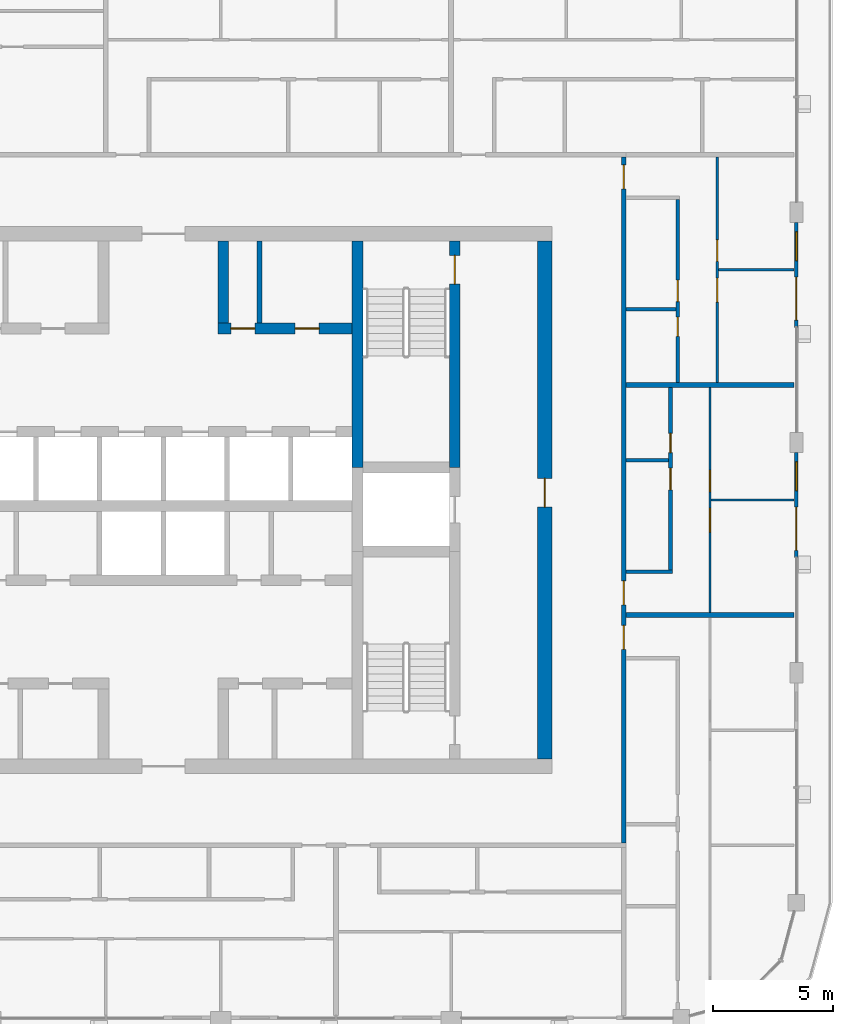
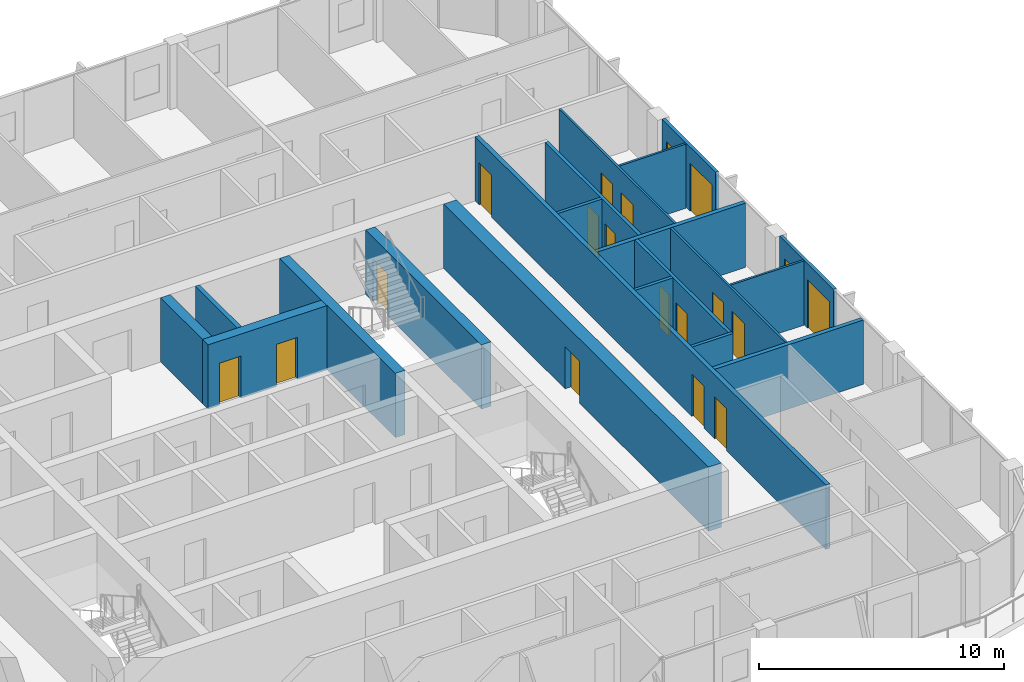
# One storey, part 13 of 22: 20 walls, 17 doors, 2 windows, 19 openings.
"""IFC4 building model written with IfcOpenShell, lengths in metres."""

from ifc_helpers import new_model, si_unit, direction, frame, frame_2d, origin, place, context, subcontext, project, spatial, rectangle, extrude, material, layer, layer_set, type_object, element, fill, save


model = new_model("IFC4")

# Units and contexts
model_context = context("Model", 3, precision=1e-05, world=origin(), true_north=direction((0.0, 1.0)))
body_context = subcontext(model_context, "Body", "Model", "MODEL_VIEW")
ifc_project = project(units=[si_unit("LENGTHUNIT", "METRE"), si_unit("AREAUNIT", "SQUARE_METRE"), si_unit("VOLUMEUNIT", "CUBIC_METRE"), si_unit("PLANEANGLEUNIT", "RADIAN"), si_unit("MASSUNIT", "GRAM", prefix="KILO")], contexts=[model_context])

# Site, building, storey
site_placement = place(None, origin())
site = spatial("IfcSite", under=ifc_project, at=site_placement, CompositionType="ELEMENT")
building_placement = place(site_placement, origin())
building = spatial("IfcBuilding", under=site, at=building_placement, Name="Madar Terraces", CompositionType="ELEMENT")
storey_placement = place(building_placement, frame((0.0, 0.0, 256.199951171875)))
storey = spatial("IfcBuildingStorey", under=building, at=storey_placement, Name="L67", CompositionType="ELEMENT", Elevation=256.199951171875)

# Wall
ifc_material_1 = material(Name="Concrete C55/67", Category="concrete")
ifc_layer_1 = layer(ifc_material_1, 0.449951171875)
ifc_layer_set_1 = layer_set([ifc_layer_1], Name="Concrete C55/67 (CIW5 RC wall 450)")
wall_type_1 = type_object("IfcWallType", Name="CIW5 RC wall 450", PredefinedType="SHEAR", material=ifc_layer_set_1)
wall_1_placement = place(storey_placement, frame((39.300048828125, 27.75, 0.0), z_axis=(0.0, 0.0, 1.0), x_axis=(0.0, 1.0, 0.0)))
element("IfcWall", 1, at=wall_1_placement, inside=storey, type_object=wall_type_1, Name="CORE SHAFT WALL", PredefinedType="SHEAR", context=body_context, shape_type="SweptSolid", body=[
    extrude(rectangle(XDim=9.449951171875, YDim=0.449951171875, at=frame_2d((4.72509765625, 0.0))), origin(), (0.0, 0.0, 1.0), 3.199951171875),
])

# Wall, opening, door
wall_2_placement = place(storey_placement, frame((43.35009765625, 27.75, 0.0), z_axis=(0.0, 0.0, 1.0), x_axis=(0.0, 1.0, 0.0)))
wall_2 = element("IfcWall", 2, at=wall_2_placement, inside=storey, type_object=wall_type_1, Name="CORE SHAFT WALL", PredefinedType="SHEAR", context=body_context, shape_type="SweptSolid", body=[
    extrude(rectangle(XDim=9.449951171875, YDim=0.449951171875, at=frame_2d((4.72509765625, 0.0))), origin(), (0.0, 0.0, 1.0), 3.199951171875),
])
opening_1_placement = place(wall_2_placement, frame((7.64990234375, 0.0, 0.0)))
opening_1 = element("IfcOpeningElement", 3, at=opening_1_placement, cuts=wall_2, Name="Opening SD1", PredefinedType="OPENING", context=body_context, shape_type="SweptSolid", body=[
    extrude(rectangle(XDim=1.199951171875, YDim=2.10009765625, at=frame_2d((0.60009765625, 1.050048828125))), frame((0.0, 0.23486328125, 0.0), z_axis=(0.0, -1.0, 0.0), x_axis=(1.0, 0.0, 0.0)), (0.0, 0.0, 1.0), 0.469970703125),
])
ifc_material_2 = material(Name="Steel door leaf", Category="steel")
door_type_1 = type_object("IfcDoorType", Name="Stair door 1200 x 2100", OperationType="NOTDEFINED", PredefinedType="DOOR", material=ifc_material_2)
door_1_placement = place(opening_1_placement, origin())
door_1 = element("IfcDoor", 4, at=door_1_placement, inside=storey, type_object=door_type_1, Name="STAIR DOOR", OperationType="SINGLE_SWING_LEFT", OverallHeight=2.10009765625, OverallWidth=1.199951171875, PredefinedType="DOOR", context=body_context, shape_type="SweptSolid", body=[
    extrude(rectangle(XDim=1.199951171875, YDim=2.10009765625, at=frame_2d((0.60009765625, 1.050048828125))), frame((0.0, 0.02490234375, 0.0), z_axis=(0.0, -1.0, 0.0), x_axis=(1.0, 0.0, 0.0)), (0.0, 0.0, 1.0), 0.050048828125),
])
fill(opening_1, door_1)

# Wall, openings, doors
wall_3_placement = place(storey_placement, frame((33.47509765625, 33.550048828125, 0.0), z_axis=(0.0, 0.0, 1.0), x_axis=(1.0, 0.0, 0.0)))
wall_3 = element("IfcWall", 5, at=wall_3_placement, inside=storey, type_object=wall_type_1, Name="CORE SHAFT WALL", PredefinedType="SHEAR", context=body_context, shape_type="SweptSolid", body=[
    extrude(rectangle(XDim=5.599853515625, YDim=0.449951171875, at=frame_2d((2.7998046875, 0.0))), origin(), (0.0, 0.0, 1.0), 3.199951171875),
])
opening_2_placement = place(wall_3_placement, frame((0.543701171875, 0.0, 0.0)))
opening_2 = element("IfcOpeningElement", 6, at=opening_2_placement, cuts=wall_3, Name="Opening KD2", PredefinedType="OPENING", context=body_context, shape_type="SweptSolid", body=[
    extrude(rectangle(XDim=1.0, YDim=2.10009765625, at=frame_2d((0.5, 1.050048828125))), frame((0.0, 0.23486328125, 0.0), z_axis=(0.0, -1.0, 0.0), x_axis=(1.0, 0.0, 0.0)), (0.0, 0.0, 1.0), 0.469970703125),
])
opening_3_placement = place(wall_3_placement, frame((3.21875, 0.0, 0.0)))
opening_3 = element("IfcOpeningElement", 7, at=opening_3_placement, cuts=wall_3, Name="Opening KD2", PredefinedType="OPENING", context=body_context, shape_type="SweptSolid", body=[
    extrude(rectangle(XDim=1.0, YDim=2.10009765625, at=frame_2d((0.5, 1.050048828125))), frame((0.0, 0.23486328125, 0.0), z_axis=(0.0, -1.0, 0.0), x_axis=(1.0, 0.0, 0.0)), (0.0, 0.0, 1.0), 0.469970703125),
])
ifc_material_3 = material(Name="Steel door leaf", Category="steel")
door_type_2 = type_object("IfcDoorType", Name="Service room door 1000 x 2100", OperationType="NOTDEFINED", PredefinedType="DOOR", material=ifc_material_3)
door_2_placement = place(opening_2_placement, frame((1.0, 0.0, 0.0), z_axis=(0.0, 0.0, 1.0), x_axis=(-1.0, 0.0, 0.0)))
door_2 = element("IfcDoor", 8, at=door_2_placement, inside=storey, type_object=door_type_2, Name="SERVICE ROOM DOOR", OperationType="SINGLE_SWING_RIGHT", OverallHeight=2.10009765625, OverallWidth=1.0, PredefinedType="DOOR", context=body_context, shape_type="SweptSolid", body=[
    extrude(rectangle(XDim=1.0, YDim=2.10009765625, at=frame_2d((0.5, 1.050048828125))), frame((0.0, 0.02490234375, 0.0), z_axis=(0.0, -1.0, 0.0), x_axis=(1.0, 0.0, 0.0)), (0.0, 0.0, 1.0), 0.050048828125),
])
fill(opening_2, door_2)
door_3_placement = place(opening_3_placement, frame((1.0, 0.0, 0.0), z_axis=(0.0, 0.0, 1.0), x_axis=(-1.0, 0.0, 0.0)))
door_3 = element("IfcDoor", 9, at=door_3_placement, inside=storey, type_object=door_type_2, Name="SERVICE ROOM DOOR", OperationType="SINGLE_SWING_LEFT", OverallHeight=2.10009765625, OverallWidth=1.0, PredefinedType="DOOR", context=body_context, shape_type="SweptSolid", body=[
    extrude(rectangle(XDim=1.0, YDim=2.10009765625, at=frame_2d((0.5, 1.050048828125))), frame((0.0, 0.02490234375, 0.0), z_axis=(0.0, -1.0, 0.0), x_axis=(1.0, 0.0, 0.0)), (0.0, 0.0, 1.0), 0.050048828125),
])
fill(opening_3, door_3)

# Wall
wall_4_placement = place(storey_placement, frame((33.699951171875, 33.77490234375, 0.0), z_axis=(0.0, 0.0, 1.0), x_axis=(0.0, 1.0, 0.0)))
element("IfcWall", 10, at=wall_4_placement, inside=storey, type_object=wall_type_1, Name="CORE SHAFT WALL", PredefinedType="SHEAR", context=body_context, shape_type="SweptSolid", body=[
    extrude(rectangle(XDim=3.425048828125, YDim=0.449951171875, at=frame_2d((1.71240234375, 0.0))), origin(), (0.0, 0.0, 1.0), 3.199951171875),
])

# Wall, opening, door
ifc_material_4 = material(Name="Concrete C55/67", Category="concrete")
ifc_layer_2 = layer(ifc_material_4, 0.60009765625)
ifc_layer_set_2 = layer_set([ifc_layer_2], Name="Concrete C55/67 (CRW5 RC wall 600)")
wall_type_2 = type_object("IfcWallType", Name="CRW5 RC wall 600", PredefinedType="SHEAR", material=ifc_layer_set_2)
wall_5_placement = place(storey_placement, frame((47.10009765625, 15.60009765625, 0.0), z_axis=(0.0, 0.0, 1.0), x_axis=(0.0, 1.0, 0.0)))
wall_5 = element("IfcWall", 11, at=wall_5_placement, inside=storey, type_object=wall_type_2, Name="CORE OUTER WALL", PredefinedType="SHEAR", context=body_context, shape_type="SweptSolid", body=[
    extrude(rectangle(XDim=21.599853515625, YDim=0.60009765625, at=frame_2d((10.7998046875, 0.0))), origin(), (0.0, 0.0, 1.0), 3.199951171875),
])
opening_4_placement = place(wall_5_placement, frame((10.5, 0.0, 0.0)))
opening_4 = element("IfcOpeningElement", 12, at=opening_4_placement, cuts=wall_5, Name="Opening SD1", PredefinedType="OPENING", context=body_context, shape_type="SweptSolid", body=[
    extrude(rectangle(XDim=1.199951171875, YDim=2.10009765625, at=frame_2d((0.60009765625, 1.050048828125))), frame((0.0, 0.31005859375, 0.0), z_axis=(0.0, -1.0, 0.0), x_axis=(1.0, 0.0, 0.0)), (0.0, 0.0, 1.0), 0.6201171875),
])
door_4_placement = place(opening_4_placement, origin())
door_4 = element("IfcDoor", 13, at=door_4_placement, inside=storey, type_object=door_type_1, Name="STAIR DOOR", OperationType="SINGLE_SWING_LEFT", OverallHeight=2.10009765625, OverallWidth=1.199951171875, PredefinedType="DOOR", context=body_context, shape_type="SweptSolid", body=[
    extrude(rectangle(XDim=1.199951171875, YDim=2.10009765625, at=frame_2d((0.60009765625, 1.050048828125))), frame((0.0, 0.02490234375, 0.0), z_axis=(0.0, -1.0, 0.0), x_axis=(1.0, 0.0, 0.0)), (0.0, 0.0, 1.0), 0.050048828125),
])
fill(opening_4, door_4)

# Wall
ifc_material_5 = material(Name="Masonry blockwork", Category="masonry")
ifc_layer_3 = layer(ifc_material_5, 0.199951171875)
ifc_layer_set_3 = layer_set([ifc_layer_3], Name="Core partition 200 blockwork")
wall_type_3 = type_object("IfcWallType", Name="Core partition 200 blockwork", PredefinedType="PARTITIONING", material=ifc_layer_set_3)
wall_6_placement = place(storey_placement, frame((35.21240234375, 33.77490234375, 0.0), z_axis=(0.0, 0.0, 1.0), x_axis=(0.0, 1.0, 0.0)))
element("IfcWall", 14, at=wall_6_placement, inside=storey, type_object=wall_type_3, Name="SERVICE ROOM PARTITION", PredefinedType="PARTITIONING", context=body_context, shape_type="SweptSolid", body=[
    extrude(rectangle(XDim=3.425048828125, YDim=0.199951171875, at=frame_2d((1.71240234375, 0.0))), origin(), (0.0, 0.0, 1.0), 3.199951171875),
])

# Wall, openings, door, window
ifc_material_6 = material(Name="Aluminium composite panel, black, over insulated backing", Category="aluminium")
ifc_layer_4 = layer(ifc_material_6, 0.14990234375)
ifc_layer_set_4 = layer_set([ifc_layer_4], Name="Facade bay panel 150")
wall_type_4 = type_object("IfcWallType", Name="Facade bay panel 150", PredefinedType="SOLIDWALL", material=ifc_layer_set_4)
wall_7_placement = place(storey_placement, frame((57.60009765625, 24.0, 0.0), z_axis=(0.0, 0.0, 1.0), x_axis=(0.0, 1.0, 0.0)))
wall_7 = element("IfcWall", 15, at=wall_7_placement, inside=storey, type_object=wall_type_4, Name="Facade bay panel", PredefinedType="SOLIDWALL", context=body_context, shape_type="SweptSolid", body=[
    extrude(rectangle(XDim=4.375, YDim=0.14990234375, at=frame_2d((2.1875, 0.0))), origin(), (0.0, 0.0, 1.0), 3.199951171875),
])
opening_5_placement = place(wall_7_placement, frame((0.300048828125, 0.0, 0.0)))
opening_5 = element("IfcOpeningElement", 16, at=opening_5_placement, cuts=wall_7, Name="Opening ED1", PredefinedType="OPENING", context=body_context, shape_type="SweptSolid", body=[
    extrude(rectangle(XDim=1.800048828125, YDim=2.39990234375, at=frame_2d((0.89990234375, 1.199951171875))), frame((0.0, 0.0849609375, 0.0), z_axis=(0.0, -1.0, 0.0), x_axis=(1.0, 0.0, 0.0)), (0.0, 0.0, 1.0), 0.169921875),
])
opening_6_placement = place(wall_7_placement, frame((2.78759765625, 0.0, 0.89990234375)))
opening_6 = element("IfcOpeningElement", 17, at=opening_6_placement, cuts=wall_7, Name="Opening W1", PredefinedType="OPENING", context=body_context, shape_type="SweptSolid", body=[
    extrude(rectangle(XDim=1.199951171875, YDim=1.39990234375, at=frame_2d((0.60009765625, 0.699951171875))), frame((0.0, 0.0849609375, 0.0), z_axis=(0.0, -1.0, 0.0), x_axis=(1.0, 0.0, 0.0)), (0.0, 0.0, 1.0), 0.169921875),
])
ifc_material_7 = material(Name="Glass, clear, with black aluminium frame", Category="aluminium")
door_type_3 = type_object("IfcDoorType", Name="Balcony and terrace sliding door 1800 x 2400", OperationType="SLIDING_TO_LEFT", PredefinedType="DOOR", material=ifc_material_7)
door_5_placement = place(opening_5_placement, origin())
door_5 = element("IfcDoor", 18, at=door_5_placement, inside=storey, type_object=door_type_3, Name="Balcony door", OperationType="SLIDING_TO_LEFT", OverallHeight=2.39990234375, OverallWidth=1.800048828125, PredefinedType="DOOR", context=body_context, shape_type="SweptSolid", body=[
    extrude(rectangle(XDim=1.800048828125, YDim=2.39990234375, at=frame_2d((0.89990234375, 1.199951171875))), frame((0.0, 0.02490234375, 0.0), z_axis=(0.0, -1.0, 0.0), x_axis=(1.0, 0.0, 0.0)), (0.0, 0.0, 1.0), 0.050048828125),
])
fill(opening_5, door_5)
ifc_material_8 = material(Name="Glass, clear, with black aluminium frame", Category="aluminium")
window_type = type_object("IfcWindowType", Name="Vent window 1200 x 1400", PartitioningType="SINGLE_PANEL", PredefinedType="WINDOW", material=ifc_material_8)
window_1_placement = place(opening_6_placement, origin())
window_1 = element("IfcWindow", 19, at=window_1_placement, inside=storey, type_object=window_type, Name="Operable vent window", OverallHeight=1.39990234375, OverallWidth=1.199951171875, PartitioningType="SINGLE_PANEL", PredefinedType="WINDOW", context=body_context, shape_type="SweptSolid", body=[
    extrude(rectangle(XDim=1.199951171875, YDim=1.39990234375, at=frame_2d((0.60009765625, 0.699951171875))), frame((0.0, 0.030029296875, 0.0), z_axis=(0.0, -1.0, 0.0), x_axis=(1.0, 0.0, 0.0)), (0.0, 0.0, 1.0), 0.06005859375),
])
fill(opening_6, window_1)

wall_8_placement = place(storey_placement, frame((57.60009765625, 33.60009765625, 0.0), z_axis=(0.0, 0.0, 1.0), x_axis=(0.0, 1.0, 0.0)))
wall_8 = element("IfcWall", 20, at=wall_8_placement, inside=storey, type_object=wall_type_4, Name="Facade bay panel", PredefinedType="SOLIDWALL", context=body_context, shape_type="SweptSolid", body=[
    extrude(rectangle(XDim=4.375, YDim=0.14990234375, at=frame_2d((2.1875, 0.0))), origin(), (0.0, 0.0, 1.0), 3.199951171875),
])
opening_7_placement = place(wall_8_placement, frame((0.300048828125, 0.0, 0.0)))
opening_7 = element("IfcOpeningElement", 21, at=opening_7_placement, cuts=wall_8, Name="Opening ED1", PredefinedType="OPENING", context=body_context, shape_type="SweptSolid", body=[
    extrude(rectangle(XDim=1.800048828125, YDim=2.39990234375, at=frame_2d((0.89990234375, 1.199951171875))), frame((0.0, 0.0849609375, 0.0), z_axis=(0.0, -1.0, 0.0), x_axis=(1.0, 0.0, 0.0)), (0.0, 0.0, 1.0), 0.169921875),
])
opening_8_placement = place(wall_8_placement, frame((2.78759765625, 0.0, 0.89990234375)))
opening_8 = element("IfcOpeningElement", 22, at=opening_8_placement, cuts=wall_8, Name="Opening W1", PredefinedType="OPENING", context=body_context, shape_type="SweptSolid", body=[
    extrude(rectangle(XDim=1.199951171875, YDim=1.39990234375, at=frame_2d((0.60009765625, 0.699951171875))), frame((0.0, 0.0849609375, 0.0), z_axis=(0.0, -1.0, 0.0), x_axis=(1.0, 0.0, 0.0)), (0.0, 0.0, 1.0), 0.169921875),
])
door_6_placement = place(opening_7_placement, origin())
door_6 = element("IfcDoor", 23, at=door_6_placement, inside=storey, type_object=door_type_3, Name="Balcony door", OperationType="SLIDING_TO_RIGHT", OverallHeight=2.39990234375, OverallWidth=1.800048828125, PredefinedType="DOOR", context=body_context, shape_type="SweptSolid", body=[
    extrude(rectangle(XDim=1.800048828125, YDim=2.39990234375, at=frame_2d((0.89990234375, 1.199951171875))), frame((0.0, 0.02490234375, 0.0), z_axis=(0.0, -1.0, 0.0), x_axis=(1.0, 0.0, 0.0)), (0.0, 0.0, 1.0), 0.050048828125),
])
fill(opening_7, door_6)
window_2_placement = place(opening_8_placement, origin())
window_2 = element("IfcWindow", 24, at=window_2_placement, inside=storey, type_object=window_type, Name="Operable vent window", OverallHeight=1.39990234375, OverallWidth=1.199951171875, PartitioningType="SINGLE_PANEL", PredefinedType="WINDOW", context=body_context, shape_type="SweptSolid", body=[
    extrude(rectangle(XDim=1.199951171875, YDim=1.39990234375, at=frame_2d((0.60009765625, 0.699951171875))), frame((0.0, 0.030029296875, 0.0), z_axis=(0.0, -1.0, 0.0), x_axis=(1.0, 0.0, 0.0)), (0.0, 0.0, 1.0), 0.06005859375),
])
fill(opening_8, window_2)

# Wall
ifc_material_9 = material(Name="Gypsum board on steel studs", Category="steel")
ifc_layer_5 = layer(ifc_material_9, 0.10009765625)
ifc_layer_set_5 = layer_set([ifc_layer_5], Name="Flat partition 100")
wall_type_5 = type_object("IfcWallType", Name="Flat partition 100", PredefinedType="PARTITIONING", material=ifc_layer_set_5)
wall_9_placement = place(storey_placement, frame((54.050048828125, 26.39990234375, 0.0), z_axis=(0.0, 0.0, 1.0), x_axis=(1.0, 0.0, 0.0)))
element("IfcWall", 25, at=wall_9_placement, inside=storey, type_object=wall_type_5, Name="Flat partition 100", PredefinedType="PARTITIONING", context=body_context, shape_type="SweptSolid", body=[
    extrude(rectangle(XDim=3.449951171875, YDim=0.10009765625, at=frame_2d((1.72509765625, 0.0))), origin(), (0.0, 0.0, 1.0), 3.199951171875),
])

# Wall, openings, doors
wall_10_placement = place(storey_placement, frame((54.0, 31.10009765625, 0.0), z_axis=(0.0, 0.0, 1.0), x_axis=(0.0, -1.0, 0.0)))
wall_10 = element("IfcWall", 26, at=wall_10_placement, inside=storey, type_object=wall_type_5, Name="Flat partition 100", PredefinedType="PARTITIONING", context=body_context, shape_type="SweptSolid", body=[
    extrude(rectangle(XDim=9.400146484375, YDim=0.10009765625, at=frame_2d((4.7001953125, 0.0))), origin(), (0.0, 0.0, 1.0), 3.199951171875),
])
opening_9_placement = place(wall_10_placement, frame((5.050048828125, 0.0, 0.0)))
opening_9 = element("IfcOpeningElement", 27, at=opening_9_placement, cuts=wall_10, Name="Opening D3", PredefinedType="OPENING", context=body_context, shape_type="SweptSolid", body=[
    extrude(rectangle(XDim=1.0, YDim=2.10009765625, at=frame_2d((0.5, 1.050048828125))), frame((0.0, 0.06005859375, 0.0), z_axis=(0.0, -1.0, 0.0), x_axis=(1.0, 0.0, 0.0)), (0.0, 0.0, 1.0), 0.1201171875),
])
opening_10_placement = place(wall_10_placement, frame((3.449951171875, 0.0, 0.0)))
opening_10 = element("IfcOpeningElement", 28, at=opening_10_placement, cuts=wall_10, Name="Opening D2", PredefinedType="OPENING", context=body_context, shape_type="SweptSolid", body=[
    extrude(rectangle(XDim=0.89990234375, YDim=2.10009765625, at=frame_2d((0.449951171875, 1.050048828125))), frame((0.0, 0.06005859375, 0.0), z_axis=(0.0, -1.0, 0.0), x_axis=(1.0, 0.0, 0.0)), (0.0, 0.0, 1.0), 0.1201171875),
])
ifc_material_10 = material(Name="Timber door leaf", Category="wood")
door_type_4 = type_object("IfcDoorType", Name="Flat living room door 1000", OperationType="NOTDEFINED", PredefinedType="DOOR", material=ifc_material_10)
door_7_placement = place(opening_9_placement, origin())
door_7 = element("IfcDoor", 29, at=door_7_placement, inside=storey, type_object=door_type_4, Name="Flat living room door 1000", OperationType="SINGLE_SWING_LEFT", OverallHeight=2.10009765625, OverallWidth=1.0, PredefinedType="DOOR", context=body_context, shape_type="SweptSolid", body=[
    extrude(rectangle(XDim=1.0, YDim=2.10009765625, at=frame_2d((0.5, 1.050048828125))), frame((0.0, 0.02490234375, 0.0), z_axis=(0.0, -1.0, 0.0), x_axis=(1.0, 0.0, 0.0)), (0.0, 0.0, 1.0), 0.050048828125),
])
fill(opening_9, door_7)
ifc_material_11 = material(Name="Timber door leaf", Category="wood")
door_type_5 = type_object("IfcDoorType", Name="Flat room door 900", OperationType="NOTDEFINED", PredefinedType="DOOR", material=ifc_material_11)
door_8_placement = place(opening_10_placement, origin())
door_8 = element("IfcDoor", 30, at=door_8_placement, inside=storey, type_object=door_type_5, Name="Flat room door 900", OperationType="SINGLE_SWING_RIGHT", OverallHeight=2.10009765625, OverallWidth=0.89990234375, PredefinedType="DOOR", context=body_context, shape_type="SweptSolid", body=[
    extrude(rectangle(XDim=0.89990234375, YDim=2.10009765625, at=frame_2d((0.449951171875, 1.050048828125))), frame((0.0, 0.02490234375, 0.0), z_axis=(0.0, -1.0, 0.0), x_axis=(1.0, 0.0, 0.0)), (0.0, 0.0, 1.0), 0.050048828125),
])
fill(opening_10, door_8)

# Wall
wall_11_placement = place(storey_placement, frame((54.35009765625, 36.0, 0.0), z_axis=(0.0, 0.0, 1.0), x_axis=(1.0, 0.0, 0.0)))
element("IfcWall", 31, at=wall_11_placement, inside=storey, type_object=wall_type_5, Name="Flat partition 100", PredefinedType="PARTITIONING", context=body_context, shape_type="SweptSolid", body=[
    extrude(rectangle(XDim=3.14990234375, YDim=0.10009765625, at=frame_2d((1.574951171875, 0.0))), origin(), (0.0, 0.0, 1.0), 3.199951171875),
])

# Wall, openings, doors
wall_12_placement = place(storey_placement, frame((54.300048828125, 40.699951171875, 0.0), z_axis=(0.0, 0.0, 1.0), x_axis=(0.0, -1.0, 0.0)))
wall_12 = element("IfcWall", 32, at=wall_12_placement, inside=storey, type_object=wall_type_5, Name="Flat partition 100", PredefinedType="PARTITIONING", context=body_context, shape_type="SweptSolid", body=[
    extrude(rectangle(XDim=9.39990234375, YDim=0.10009765625, at=frame_2d((4.699951171875, 0.0))), origin(), (0.0, 0.0, 1.0), 3.199951171875),
])
opening_11_placement = place(wall_12_placement, frame((3.449951171875, 0.0, 0.0)))
opening_11 = element("IfcOpeningElement", 33, at=opening_11_placement, cuts=wall_12, Name="Opening D2", PredefinedType="OPENING", context=body_context, shape_type="SweptSolid", body=[
    extrude(rectangle(XDim=0.89990234375, YDim=2.10009765625, at=frame_2d((0.449951171875, 1.050048828125))), frame((0.0, 0.06005859375, 0.0), z_axis=(0.0, -1.0, 0.0), x_axis=(1.0, 0.0, 0.0)), (0.0, 0.0, 1.0), 0.1201171875),
])
opening_12_placement = place(wall_12_placement, frame((5.050048828125, 0.0, 0.0)))
opening_12 = element("IfcOpeningElement", 34, at=opening_12_placement, cuts=wall_12, Name="Opening D3", PredefinedType="OPENING", context=body_context, shape_type="SweptSolid", body=[
    extrude(rectangle(XDim=1.0, YDim=2.10009765625, at=frame_2d((0.5, 1.050048828125))), frame((0.0, 0.06005859375, 0.0), z_axis=(0.0, -1.0, 0.0), x_axis=(1.0, 0.0, 0.0)), (0.0, 0.0, 1.0), 0.1201171875),
])
door_9_placement = place(opening_12_placement, origin())
door_9 = element("IfcDoor", 35, at=door_9_placement, inside=storey, type_object=door_type_4, Name="Flat living room door 1000", OperationType="SINGLE_SWING_LEFT", OverallHeight=2.10009765625, OverallWidth=1.0, PredefinedType="DOOR", context=body_context, shape_type="SweptSolid", body=[
    extrude(rectangle(XDim=1.0, YDim=2.10009765625, at=frame_2d((0.5, 1.050048828125))), frame((0.0, 0.02490234375, 0.0), z_axis=(0.0, -1.0, 0.0), x_axis=(1.0, 0.0, 0.0)), (0.0, 0.0, 1.0), 0.050048828125),
])
fill(opening_12, door_9)
door_10_placement = place(opening_11_placement, origin())
door_10 = element("IfcDoor", 36, at=door_10_placement, inside=storey, type_object=door_type_5, Name="Flat room door 900", OperationType="SINGLE_SWING_RIGHT", OverallHeight=2.10009765625, OverallWidth=0.89990234375, PredefinedType="DOOR", context=body_context, shape_type="SweptSolid", body=[
    extrude(rectangle(XDim=0.89990234375, YDim=2.10009765625, at=frame_2d((0.449951171875, 1.050048828125))), frame((0.0, 0.02490234375, 0.0), z_axis=(0.0, -1.0, 0.0), x_axis=(1.0, 0.0, 0.0)), (0.0, 0.0, 1.0), 0.050048828125),
])
fill(opening_11, door_10)

ifc_material_12 = material(Name="Lightweight blockwork", Category="masonry")
ifc_layer_6 = layer(ifc_material_12, 0.199951171875)
ifc_layer_set_6 = layer_set([ifc_layer_6], Name="Flat party and entrance wall 200")
wall_type_6 = type_object("IfcWallType", Name="Flat party and entrance wall 200", PredefinedType="PARTITIONING", material=ifc_layer_set_6)
wall_13_placement = place(storey_placement, frame((50.39990234375, 40.699951171875, 0.0), z_axis=(0.0, 0.0, 1.0), x_axis=(0.0, -1.0, 0.0)))
wall_13 = element("IfcWall", 37, at=wall_13_placement, inside=storey, type_object=wall_type_6, Name="Flat party and entrance wall 200", PredefinedType="PARTITIONING", context=body_context, shape_type="SweptSolid", body=[
    extrude(rectangle(XDim=28.599853515625, YDim=0.199951171875, at=frame_2d((14.2998046875, 0.0))), origin(), (0.0, 0.0, 1.0), 3.199951171875),
])
opening_13_placement = place(wall_13_placement, frame((19.52490234375, 0.0, 0.0)))
opening_13 = element("IfcOpeningElement", 38, at=opening_13_placement, cuts=wall_13, Name="Opening D1", PredefinedType="OPENING", context=body_context, shape_type="SweptSolid", body=[
    extrude(rectangle(XDim=1.0, YDim=2.10009765625, at=frame_2d((0.5, 1.050048828125))), frame((0.0, 0.10986328125, 0.0), z_axis=(0.0, -1.0, 0.0), x_axis=(1.0, 0.0, 0.0)), (0.0, 0.0, 1.0), 0.219970703125),
])
opening_14_placement = place(wall_13_placement, frame((17.675048828125, 0.0, 0.0)))
opening_14 = element("IfcOpeningElement", 39, at=opening_14_placement, cuts=wall_13, Name="Opening D1", PredefinedType="OPENING", context=body_context, shape_type="SweptSolid", body=[
    extrude(rectangle(XDim=1.0, YDim=2.10009765625, at=frame_2d((0.5, 1.050048828125))), frame((0.0, 0.10986328125, 0.0), z_axis=(0.0, -1.0, 0.0), x_axis=(1.0, 0.0, 0.0)), (0.0, 0.0, 1.0), 0.219970703125),
])
opening_15_placement = place(wall_13_placement, frame((0.324951171875, 0.0, 0.0)))
opening_15 = element("IfcOpeningElement", 40, at=opening_15_placement, cuts=wall_13, Name="Opening D1", PredefinedType="OPENING", context=body_context, shape_type="SweptSolid", body=[
    extrude(rectangle(XDim=1.0, YDim=2.10009765625, at=frame_2d((0.5, 1.050048828125))), frame((0.0, 0.10986328125, 0.0), z_axis=(0.0, -1.0, 0.0), x_axis=(1.0, 0.0, 0.0)), (0.0, 0.0, 1.0), 0.219970703125),
])
ifc_material_13 = material(Name="Timber fire door leaf", Category="wood")
door_type_6 = type_object("IfcDoorType", Name="Flat entrance door 1000 FD30S", OperationType="NOTDEFINED", PredefinedType="DOOR", material=ifc_material_13)
door_11_placement = place(opening_13_placement, origin())
door_11 = element("IfcDoor", 41, at=door_11_placement, inside=storey, type_object=door_type_6, Name="Flat entrance door 1000 FD30S", OperationType="SINGLE_SWING_LEFT", OverallHeight=2.10009765625, OverallWidth=1.0, PredefinedType="DOOR", context=body_context, shape_type="SweptSolid", body=[
    extrude(rectangle(XDim=1.0, YDim=2.10009765625, at=frame_2d((0.5, 1.050048828125))), frame((0.0, 0.02490234375, 0.0), z_axis=(0.0, -1.0, 0.0), x_axis=(1.0, 0.0, 0.0)), (0.0, 0.0, 1.0), 0.050048828125),
])
fill(opening_13, door_11)
door_12_placement = place(opening_14_placement, origin())
door_12 = element("IfcDoor", 42, at=door_12_placement, inside=storey, type_object=door_type_6, Name="Flat entrance door 1000 FD30S", OperationType="SINGLE_SWING_RIGHT", OverallHeight=2.10009765625, OverallWidth=1.0, PredefinedType="DOOR", context=body_context, shape_type="SweptSolid", body=[
    extrude(rectangle(XDim=1.0, YDim=2.10009765625, at=frame_2d((0.5, 1.050048828125))), frame((0.0, 0.02490234375, 0.0), z_axis=(0.0, -1.0, 0.0), x_axis=(1.0, 0.0, 0.0)), (0.0, 0.0, 1.0), 0.050048828125),
])
fill(opening_14, door_12)
door_13_placement = place(opening_15_placement, origin())
door_13 = element("IfcDoor", 43, at=door_13_placement, inside=storey, type_object=door_type_6, Name="Flat entrance door 1000 FD30S", OperationType="SINGLE_SWING_LEFT", OverallHeight=2.10009765625, OverallWidth=1.0, PredefinedType="DOOR", context=body_context, shape_type="SweptSolid", body=[
    extrude(rectangle(XDim=1.0, YDim=2.10009765625, at=frame_2d((0.5, 1.050048828125))), frame((0.0, 0.02490234375, 0.0), z_axis=(0.0, -1.0, 0.0), x_axis=(1.0, 0.0, 0.0)), (0.0, 0.0, 1.0), 0.050048828125),
])
fill(opening_15, door_13)

# Walls
for number, where, z_axis, x_axis, name in (
    (44, (50.5, 21.60009765625, 0.0), (0.0, 0.0, 1.0), (1.0, 0.0, 0.0), "Flat party and entrance wall 200"),
    (45, (50.5, 31.199951171875, 0.0), (0.0, 0.0, 1.0), (1.0, 0.0, 0.0), "Flat party and entrance wall 200"),
):
    element("IfcWall", number, at=place(storey_placement, frame(where, z_axis=z_axis, x_axis=x_axis)), inside=storey, type_object=wall_type_6, Name=name, PredefinedType="PARTITIONING", context=body_context, shape_type="SweptSolid", body=[
        extrude(rectangle(XDim=7.0, YDim=0.199951171875, at=frame_2d((3.5, 0.0))), origin(), (0.0, 0.0, 1.0), 3.199951171875),
    ])
ifc_material_14 = material(Name="Lightweight blockwork", Category="masonry")
ifc_layer_7 = layer(ifc_material_14, 0.14990234375)
ifc_layer_set_7 = layer_set([ifc_layer_7], Name="Flat wet-room partition 150")
wall_type_7 = type_object("IfcWallType", Name="Flat wet-room partition 150", PredefinedType="PARTITIONING", material=ifc_layer_set_7)
wall_14_placement = place(storey_placement, frame((50.5, 28.050048828125, 0.0), z_axis=(0.0, 0.0, 1.0), x_axis=(1.0, 0.0, 0.0)))
element("IfcWall", 46, at=wall_14_placement, inside=storey, type_object=wall_type_7, Name="Flat wet-room partition 150", PredefinedType="PARTITIONING", context=body_context, shape_type="SweptSolid", body=[
    extrude(rectangle(XDim=1.77490234375, YDim=0.14990234375, at=frame_2d((0.887451171875, 0.0))), origin(), (0.0, 0.0, 1.0), 3.199951171875),
])
wall_15_placement = place(storey_placement, frame((50.5, 23.39990234375, 0.0), z_axis=(0.0, 0.0, 1.0), x_axis=(1.0, 0.0, 0.0)))
element("IfcWall", 47, at=wall_15_placement, inside=storey, type_object=wall_type_7, Name="Flat wet-room partition 150", PredefinedType="PARTITIONING", context=body_context, shape_type="SweptSolid", body=[
    extrude(rectangle(XDim=1.925048828125, YDim=0.14990234375, at=frame_2d((0.96240234375, 0.0))), origin(), (0.0, 0.0, 1.0), 3.199951171875),
])

# Wall, openings, doors
wall_16_placement = place(storey_placement, frame((52.35009765625, 23.47509765625, 0.0), z_axis=(0.0, 0.0, 1.0), x_axis=(0.0, 1.0, 0.0)))
wall_16 = element("IfcWall", 48, at=wall_16_placement, inside=storey, type_object=wall_type_7, Name="Flat wet-room partition 150", PredefinedType="PARTITIONING", context=body_context, shape_type="SweptSolid", body=[
    extrude(rectangle(XDim=7.625, YDim=0.14990234375, at=frame_2d((3.8125, 0.0))), origin(), (0.0, 0.0, 1.0), 3.199951171875),
])
opening_16_placement = place(wall_16_placement, frame((3.35009765625, 0.0, 0.0)))
opening_16 = element("IfcOpeningElement", 49, at=opening_16_placement, cuts=wall_16, Name="Opening D2", PredefinedType="OPENING", context=body_context, shape_type="SweptSolid", body=[
    extrude(rectangle(XDim=0.89990234375, YDim=2.10009765625, at=frame_2d((0.449951171875, 1.050048828125))), frame((0.0, 0.0849609375, 0.0), z_axis=(0.0, -1.0, 0.0), x_axis=(1.0, 0.0, 0.0)), (0.0, 0.0, 1.0), 0.169921875),
])
opening_17_placement = place(wall_16_placement, frame((4.89990234375, 0.0, 0.0)))
opening_17 = element("IfcOpeningElement", 50, at=opening_17_placement, cuts=wall_16, Name="Opening D4", PredefinedType="OPENING", context=body_context, shape_type="SweptSolid", body=[
    extrude(rectangle(XDim=0.800048828125, YDim=2.10009765625, at=frame_2d((0.39990234375, 1.050048828125))), frame((0.0, 0.0849609375, 0.0), z_axis=(0.0, -1.0, 0.0), x_axis=(1.0, 0.0, 0.0)), (0.0, 0.0, 1.0), 0.169921875),
])
ifc_material_15 = material(Name="Timber door leaf", Category="wood")
door_type_7 = type_object("IfcDoorType", Name="Flat bathroom door 800", OperationType="NOTDEFINED", PredefinedType="DOOR", material=ifc_material_15)
door_14_placement = place(opening_17_placement, origin())
door_14 = element("IfcDoor", 51, at=door_14_placement, inside=storey, type_object=door_type_7, Name="Flat bathroom door 800", OperationType="SINGLE_SWING_LEFT", OverallHeight=2.10009765625, OverallWidth=0.800048828125, PredefinedType="DOOR", context=body_context, shape_type="SweptSolid", body=[
    extrude(rectangle(XDim=0.800048828125, YDim=2.10009765625, at=frame_2d((0.39990234375, 1.050048828125))), frame((0.0, 0.02490234375, 0.0), z_axis=(0.0, -1.0, 0.0), x_axis=(1.0, 0.0, 0.0)), (0.0, 0.0, 1.0), 0.050048828125),
])
fill(opening_17, door_14)
door_15_placement = place(opening_16_placement, origin())
door_15 = element("IfcDoor", 52, at=door_15_placement, inside=storey, type_object=door_type_5, Name="Flat room door 900", OperationType="SINGLE_SWING_RIGHT", OverallHeight=2.10009765625, OverallWidth=0.89990234375, PredefinedType="DOOR", context=body_context, shape_type="SweptSolid", body=[
    extrude(rectangle(XDim=0.89990234375, YDim=2.10009765625, at=frame_2d((0.449951171875, 1.050048828125))), frame((0.0, 0.02490234375, 0.0), z_axis=(0.0, -1.0, 0.0), x_axis=(1.0, 0.0, 0.0)), (0.0, 0.0, 1.0), 0.050048828125),
])
fill(opening_16, door_15)

# Wall
wall_17_placement = place(storey_placement, frame((50.5, 34.35009765625, 0.0), z_axis=(0.0, 0.0, 1.0), x_axis=(1.0, 0.0, 0.0)))
element("IfcWall", 53, at=wall_17_placement, inside=storey, type_object=wall_type_7, Name="Flat wet-room partition 150", PredefinedType="PARTITIONING", context=body_context, shape_type="SweptSolid", body=[
    extrude(rectangle(XDim=2.074951171875, YDim=0.14990234375, at=frame_2d((1.03759765625, 0.0))), origin(), (0.0, 0.0, 1.0), 3.199951171875),
])

# Wall, openings, doors
wall_18_placement = place(storey_placement, frame((52.64990234375, 31.300048828125, 0.0), z_axis=(0.0, 0.0, 1.0), x_axis=(0.0, 1.0, 0.0)))
wall_18 = element("IfcWall", 54, at=wall_18_placement, inside=storey, type_object=wall_type_7, Name="Flat wet-room partition 150", PredefinedType="PARTITIONING", context=body_context, shape_type="SweptSolid", body=[
    extrude(rectangle(XDim=7.625, YDim=0.14990234375, at=frame_2d((3.8125, 0.0))), origin(), (0.0, 0.0, 1.0), 3.199951171875),
])
opening_18_placement = place(wall_18_placement, frame((3.375, 0.0, 0.0)))
opening_18 = element("IfcOpeningElement", 55, at=opening_18_placement, cuts=wall_18, Name="Opening D2", PredefinedType="OPENING", context=body_context, shape_type="SweptSolid", body=[
    extrude(rectangle(XDim=0.89990234375, YDim=2.10009765625, at=frame_2d((0.449951171875, 1.050048828125))), frame((0.0, 0.0849609375, 0.0), z_axis=(0.0, -1.0, 0.0), x_axis=(1.0, 0.0, 0.0)), (0.0, 0.0, 1.0), 0.169921875),
])
opening_19_placement = place(wall_18_placement, frame((1.925048828125, 0.0, 0.0)))
opening_19 = element("IfcOpeningElement", 56, at=opening_19_placement, cuts=wall_18, Name="Opening D4", PredefinedType="OPENING", context=body_context, shape_type="SweptSolid", body=[
    extrude(rectangle(XDim=0.800048828125, YDim=2.10009765625, at=frame_2d((0.39990234375, 1.050048828125))), frame((0.0, 0.0849609375, 0.0), z_axis=(0.0, -1.0, 0.0), x_axis=(1.0, 0.0, 0.0)), (0.0, 0.0, 1.0), 0.169921875),
])
door_16_placement = place(opening_19_placement, origin())
door_16 = element("IfcDoor", 57, at=door_16_placement, inside=storey, type_object=door_type_7, Name="Flat bathroom door 800", OperationType="SINGLE_SWING_RIGHT", OverallHeight=2.10009765625, OverallWidth=0.800048828125, PredefinedType="DOOR", context=body_context, shape_type="SweptSolid", body=[
    extrude(rectangle(XDim=0.800048828125, YDim=2.10009765625, at=frame_2d((0.39990234375, 1.050048828125))), frame((0.0, 0.02490234375, 0.0), z_axis=(0.0, -1.0, 0.0), x_axis=(1.0, 0.0, 0.0)), (0.0, 0.0, 1.0), 0.050048828125),
])
fill(opening_19, door_16)
door_17_placement = place(opening_18_placement, origin())
door_17 = element("IfcDoor", 58, at=door_17_placement, inside=storey, type_object=door_type_5, Name="Flat room door 900", OperationType="SINGLE_SWING_LEFT", OverallHeight=2.10009765625, OverallWidth=0.89990234375, PredefinedType="DOOR", context=body_context, shape_type="SweptSolid", body=[
    extrude(rectangle(XDim=0.89990234375, YDim=2.10009765625, at=frame_2d((0.449951171875, 1.050048828125))), frame((0.0, 0.02490234375, 0.0), z_axis=(0.0, -1.0, 0.0), x_axis=(1.0, 0.0, 0.0)), (0.0, 0.0, 1.0), 0.050048828125),
])
fill(opening_18, door_17)

save(model, "model.ifc")
